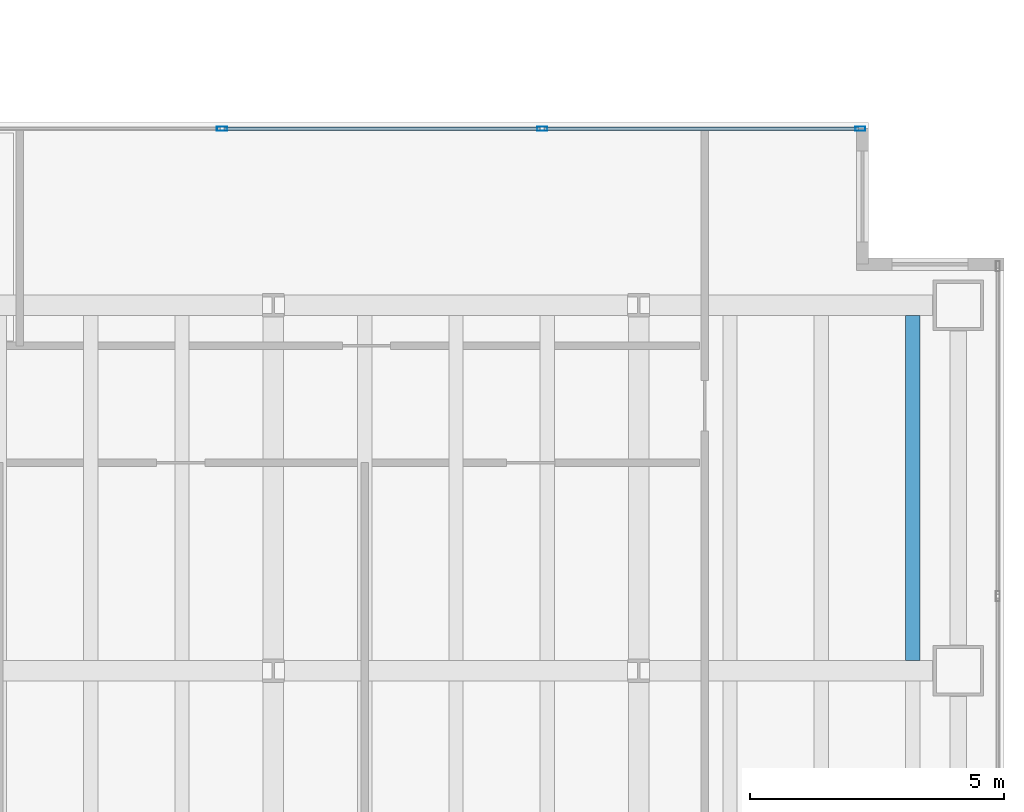
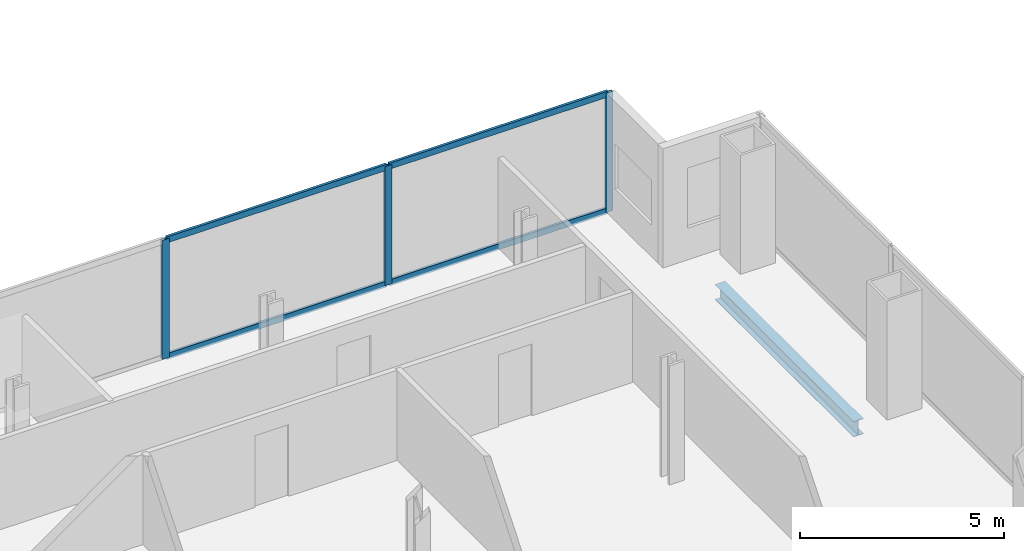
# One storey, part 12 of 23: 7 members, 1 beam, 1 element without a shape of its own.
"""IFC4 building model written with IfcOpenShell, lengths in metres."""

from ifc_helpers import new_model, si_unit, direction, frame, origin, origin_2d, place, context, subcontext, project, spatial, hollow_rectangle, i_section, extrude, material, material_profile, profile_set, type_object, element, aggregate, save


model = new_model("IFC4")

# Units and contexts
model_context = context("Model", 3, precision=1e-05, world=origin(), true_north=direction((0.0, 1.0)))
body_context = subcontext(model_context, "Body", "Model", "MODEL_VIEW")
ifc_project = project(units=[si_unit("LENGTHUNIT", "METRE"), si_unit("AREAUNIT", "SQUARE_METRE"), si_unit("VOLUMEUNIT", "CUBIC_METRE"), si_unit("PLANEANGLEUNIT", "RADIAN"), si_unit("MASSUNIT", "GRAM", prefix="KILO")], contexts=[model_context])

# Site, building, storey
site_placement = place(None, origin())
site = spatial("IfcSite", under=ifc_project, at=site_placement, CompositionType="ELEMENT")
building_placement = place(site_placement, origin())
building = spatial("IfcBuilding", under=site, at=building_placement, Name="Cobrela Telecom Tower", CompositionType="ELEMENT")
storey_placement = place(building_placement, frame((0.0, 0.0, 50.39990234375)))
storey = spatial("IfcBuildingStorey", under=building, at=storey_placement, Name="L12", CompositionType="ELEMENT", Elevation=50.39990234375)

# Beam
ifc_material_1 = material(Name="Steel ASTM A992 Grade 50", Category="steel")
ifc_material_profile_1 = material_profile(ifc_material_1, i_section(OverallWidth=0.281982421875, OverallDepth=0.467041015625, WebThickness=0.01220703125, FlangeThickness=0.01953125, FilletRadius=0.012939453125, at=origin_2d()), Name="W18X86")
ifc_profile_set_1 = profile_set([ifc_material_profile_1], Name="Steel ASTM A992 Grade 50")
beam_type = type_object("IfcBeamType", Name="BM-JOIST-02", PredefinedType="JOIST", material=ifc_profile_set_1)
beam_placement = place(storey_placement, frame((48.60009765625, 14.6044921875, -0.513427734375), z_axis=(0.0, 1.0, 0.0), x_axis=(-1.0, 0.0, 0.0)))
element("IfcBeam", 1, at=beam_placement, inside=storey, type_object=beam_type, Name="L12 Secondary Composite Floor Beam J64", PredefinedType="JOIST", context=body_context, shape_type="SweptSolid", body=[
    extrude(i_section(OverallWidth=0.281982421875, OverallDepth=0.467041015625, WebThickness=0.01220703125, FlangeThickness=0.01953125, FilletRadius=0.012939453125, at=origin_2d()), origin(), (0.0, 0.0, 1.0), 6.791015625),
])

# Curtain wall, members
ifc_material_2 = material(Name="Anodized Bronze Aluminium 6063-T6", Category="aluminium")
curtain_wall_type = type_object("IfcCurtainWallType", Name="CW-SYS-DATA", PredefinedType="USERDEFINED", material=ifc_material_2)
curtain_wall_placement = place(storey_placement, origin())
curtain_wall = element("IfcCurtainWall", 2, at=curtain_wall_placement, inside=storey, type_object=curtain_wall_type, Name="L12 Unitised Bronze Curtain Wall 11", ObjectType="UNITISED CURTAIN WALL", PredefinedType="USERDEFINED")
ifc_material_profile_2 = material_profile(ifc_material_2, hollow_rectangle(XDim=0.080078125, YDim=0.199951171875, WallThickness=0.00390625, at=origin_2d()), Name="ALU 80x200x4")
ifc_profile_set_2 = profile_set([ifc_material_profile_2], Name="Anodized Bronze Aluminium 6063-T6")
member_type_1 = type_object("IfcMemberType", Name="CW-SYS-DATA-MUL", PredefinedType="MULLION", material=ifc_profile_set_2)
member_1_placement = place(storey_placement, frame((34.989990234375, 25.080078125, 0.0), z_axis=(0.0, 0.0, 1.0), x_axis=(0.0, 1.0, 0.0)))
member_1 = element("IfcMember", 3, at=member_1_placement, type_object=member_type_1, Name="CW-DATA mullion 2", PredefinedType="MULLION", context=body_context, shape_type="SweptSolid", body=[
    extrude(hollow_rectangle(XDim=0.080078125, YDim=0.199951171875, WallThickness=0.00390625, at=origin_2d()), origin(), (0.0, 0.0, 1.0), 3.570068359375),
])
member_2_placement = place(storey_placement, frame((41.300048828125, 25.080078125, 0.0), z_axis=(0.0, 0.0, 1.0), x_axis=(0.0, 1.0, 0.0)))
member_2 = element("IfcMember", 4, at=member_2_placement, type_object=member_type_1, Name="CW-DATA mullion 3", PredefinedType="MULLION", context=body_context, shape_type="SweptSolid", body=[
    extrude(hollow_rectangle(XDim=0.080078125, YDim=0.199951171875, WallThickness=0.00390625, at=origin_2d()), origin(), (0.0, 0.0, 1.0), 3.570068359375),
])
member_3_placement = place(storey_placement, frame((47.570068359375, 25.080078125, 0.0), z_axis=(0.0, 0.0, 1.0), x_axis=(0.0, 1.0, 0.0)))
member_3 = element("IfcMember", 5, at=member_3_placement, type_object=member_type_1, Name="CW-DATA mullion 4", PredefinedType="MULLION", context=body_context, shape_type="SweptSolid", body=[
    extrude(hollow_rectangle(XDim=0.080078125, YDim=0.199951171875, WallThickness=0.00390625, at=origin_2d()), origin(), (0.0, 0.0, 1.0), 3.570068359375),
])
ifc_material_profile_3 = material_profile(ifc_material_2, hollow_rectangle(XDim=0.074951171875, YDim=0.179931640625, WallThickness=0.00390625, at=origin_2d()), Name="ALU 75x180x4")
ifc_profile_set_3 = profile_set([ifc_material_profile_3], Name="Anodized Bronze Aluminium 6063-T6")
member_type_2 = type_object("IfcMemberType", Name="CW-SYS-DATA-TRN", PredefinedType="USERDEFINED", material=ifc_profile_set_3)
member_4_placement = place(storey_placement, frame((35.030029296875, 25.080078125, 0.03759765625), z_axis=(1.0, 0.0, 0.0), x_axis=(0.0, 1.0, 0.0)))
member_4 = element("IfcMember", 6, at=member_4_placement, type_object=member_type_2, Name="CW-DATA transom 2.1", ObjectType="TRANSOM", PredefinedType="USERDEFINED", context=body_context, shape_type="SweptSolid", body=[
    extrude(hollow_rectangle(XDim=0.074951171875, YDim=0.179931640625, WallThickness=0.00390625, at=origin_2d()), origin(), (0.0, 0.0, 1.0), 6.22998046875),
])
member_5_placement = place(storey_placement, frame((35.030029296875, 25.080078125, 3.53271484375), z_axis=(1.0, 0.0, 0.0), x_axis=(0.0, 1.0, 0.0)))
member_5 = element("IfcMember", 7, at=member_5_placement, type_object=member_type_2, Name="CW-DATA transom 2.2", ObjectType="TRANSOM", PredefinedType="USERDEFINED", context=body_context, shape_type="SweptSolid", body=[
    extrude(hollow_rectangle(XDim=0.074951171875, YDim=0.179931640625, WallThickness=0.00390625, at=origin_2d()), origin(), (0.0, 0.0, 1.0), 6.22998046875),
])
member_6_placement = place(storey_placement, frame((41.340087890625, 25.080078125, 0.03759765625), z_axis=(1.0, 0.0, 0.0), x_axis=(0.0, 1.0, 0.0)))
member_6 = element("IfcMember", 8, at=member_6_placement, type_object=member_type_2, Name="CW-DATA transom 3.1", ObjectType="TRANSOM", PredefinedType="USERDEFINED", context=body_context, shape_type="SweptSolid", body=[
    extrude(hollow_rectangle(XDim=0.074951171875, YDim=0.179931640625, WallThickness=0.00390625, at=origin_2d()), origin(), (0.0, 0.0, 1.0), 6.18994140625),
])
member_7_placement = place(storey_placement, frame((41.340087890625, 25.080078125, 3.53271484375), z_axis=(1.0, 0.0, 0.0), x_axis=(0.0, 1.0, 0.0)))
member_7 = element("IfcMember", 9, at=member_7_placement, type_object=member_type_2, Name="CW-DATA transom 3.2", ObjectType="TRANSOM", PredefinedType="USERDEFINED", context=body_context, shape_type="SweptSolid", body=[
    extrude(hollow_rectangle(XDim=0.074951171875, YDim=0.179931640625, WallThickness=0.00390625, at=origin_2d()), origin(), (0.0, 0.0, 1.0), 6.18994140625),
])
aggregate(curtain_wall, [member_1, member_2, member_3, member_4, member_5, member_6, member_7])

save(model, "model.ifc")
